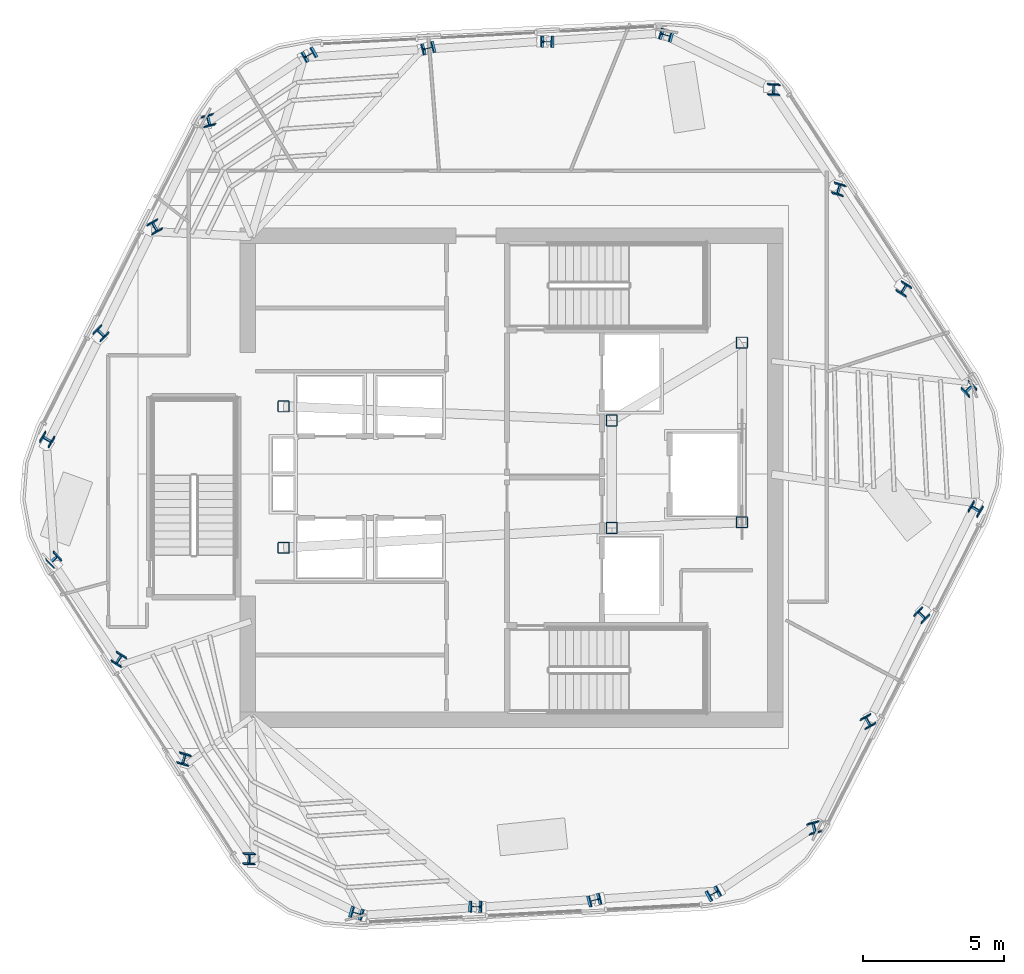
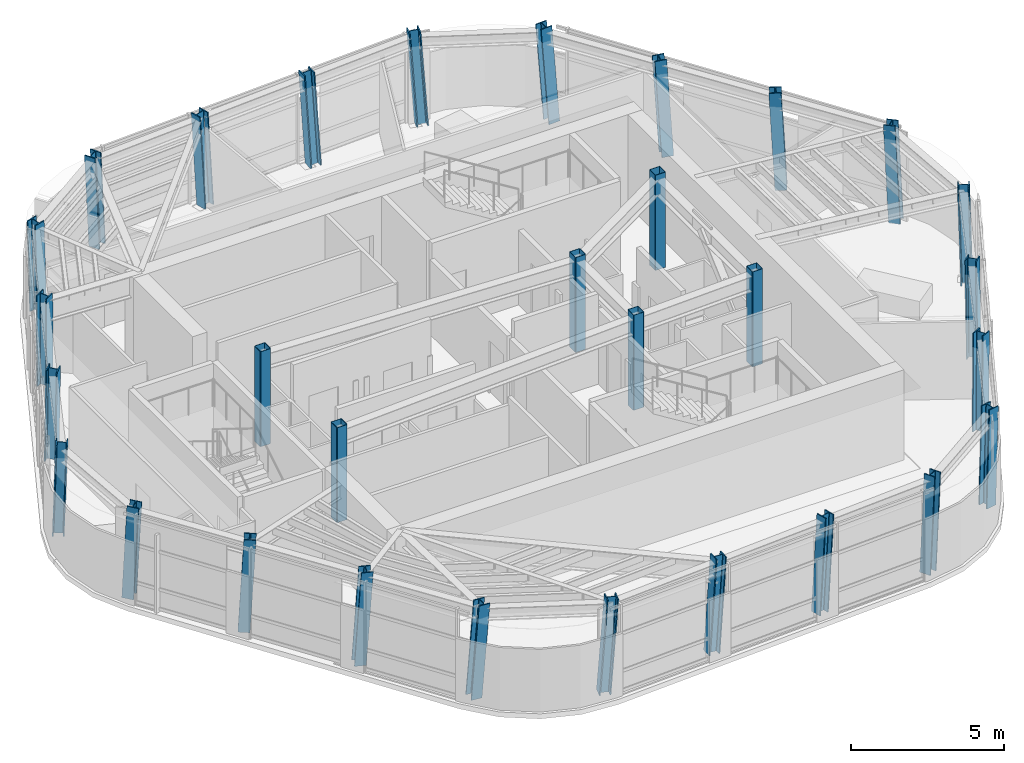
# One storey, part 1 of 13: 30 columns.
"""IFC4 building model written with IfcOpenShell, lengths in metres."""

from ifc_helpers import new_model, si_unit, direction, frame, origin, origin_2d, place, context, subcontext, project, spatial, hollow_rectangle, i_section, extrude, material, material_profile, profile_set, type_object, element, save


model = new_model("IFC4")

# Units and contexts
model_context = context("Model", 3, precision=1e-05, world=origin(), true_north=direction((0.0, 1.0)))
body_context = subcontext(model_context, "Body", "Model", "MODEL_VIEW")
ifc_project = project(units=[si_unit("LENGTHUNIT", "METRE"), si_unit("AREAUNIT", "SQUARE_METRE"), si_unit("VOLUMEUNIT", "CUBIC_METRE"), si_unit("PLANEANGLEUNIT", "RADIAN"), si_unit("MASSUNIT", "GRAM", prefix="KILO")], contexts=[model_context])

# Site, building, storey
site_placement = place(None, origin())
site = spatial("IfcSite", under=ifc_project, at=site_placement, CompositionType="ELEMENT")
building_placement = place(site_placement, origin())
building = spatial("IfcBuilding", under=site, at=building_placement, Name="Valkerne Bourse Tower", CompositionType="ELEMENT")
storey_placement = place(building_placement, frame((0.0, 0.0, 296.39990234375)))
storey = spatial("IfcBuildingStorey", under=building, at=storey_placement, Name="L75", CompositionType="ELEMENT", Elevation=296.39990234375)

# Columns
ifc_material_1 = material(Name="Steel ASTM A500 Grade C", Category="steel")
ifc_material_profile_1 = material_profile(ifc_material_1, hollow_rectangle(XDim=0.39990234375, YDim=0.39990234375, WallThickness=0.01611328125, OuterFilletRadius=0.031982421875, at=origin_2d()), Name="HSS400X400X16")
ifc_profile_set_1 = profile_set([ifc_material_profile_1], Name="Steel ASTM A500 Grade C")
column_type_1 = type_object("IfcColumnType", Name="COL-HSS400X400X16", PredefinedType="COLUMN", material=ifc_profile_set_1)
for number, where, z_axis, x_axis, name in (
    (1, (38.75, 24.39990234375, 0.005126953125), (0.0, 0.0, 1.0), (1.0, 0.0, 0.0), "L75 Core Frame Column CC-SW"),
    (2, (38.75, 29.39990234375, 0.005126953125), (0.0, 0.0, 1.0), (1.0, 0.0, 0.0), "L75 Core Frame Column CC-NW"),
    (3, (50.35009765625, 25.10009765625, 0.005126953125), (0.0, 0.0, 1.0), (1.0, 0.0, 0.0), "L75 Core Frame Column CC-CE1"),
    (4, (50.35009765625, 28.89990234375, 0.005126953125), (0.0, 0.0, 1.0), (1.0, 0.0, 0.0), "L75 Core Frame Column CC-CE2"),
    (5, (54.949951171875, 25.300048828125, 0.005126953125), (0.0, 0.0, 1.0), (1.0, 0.0, 0.0), "L75 Core Frame Column CC-SE"),
    (6, (54.949951171875, 31.64990234375, 0.005126953125), (0.0, 0.0, 1.0), (1.0, 0.0, 0.0), "L75 Core Frame Column CC-NE"),
):
    element("IfcColumn", number, at=place(storey_placement, frame(where, z_axis=z_axis, x_axis=x_axis)), inside=storey, type_object=column_type_1, Name=name, PredefinedType="COLUMN", context=body_context, shape_type="SweptSolid", body=[
        extrude(hollow_rectangle(XDim=0.39990234375, YDim=0.39990234375, WallThickness=0.01611328125, OuterFilletRadius=0.031982421875, at=origin_2d()), origin(), (0.0, 0.0, 1.0), 3.794921875),
    ])
ifc_material_2 = material(Name="Steel ASTM A913 Grade 65", Category="steel")
ifc_material_profile_2 = material_profile(ifc_material_2, i_section(OverallWidth=0.4013671875, OverallDepth=0.398681640625, WebThickness=0.02490234375, FlangeThickness=0.03955078125, FilletRadius=0.025390625, at=origin_2d()), Name="W14X211")
ifc_profile_set_2 = profile_set([ifc_material_profile_2], Name="Steel ASTM A913 Grade 65")
column_type_2 = type_object("IfcColumnType", Name="COL-W14X211", PredefinedType="COLUMN", material=ifc_profile_set_2)
column_1_placement = place(storey_placement, frame((52.31396484375, 42.508544921875, 0.010009765625), z_axis=(-0.064484148291, 0.022353645811, 0.997668336241), x_axis=(0.277749298104, 0.960646953462, -0.003571863205)))
element("IfcColumn", 7, at=column_1_placement, inside=storey, type_object=column_type_2, Name="L75 Helical Perimeter Tube Column F1-C1", PredefinedType="COLUMN", context=body_context, shape_type="SweptSolid", body=[
    extrude(i_section(OverallWidth=0.4013671875, OverallDepth=0.398681640625, WebThickness=0.02490234375, FlangeThickness=0.03955078125, FilletRadius=0.025390625, at=origin_2d()), origin(), (0.0, 0.0, 1.0), 3.789794921875),
])
for number, where, z_axis, x_axis, name in (
    (8, (48.107666015625, 42.2880859375, 0.010009765625), (-0.063408517801, 0.004961845397, 0.997975320316), (0.025835817584, 0.999660657599, -0.003328690265), "L75 Helical Perimeter Tube Column F1-C2"),
    (9, (43.9013671875, 42.067626953125, 0.010009765625), (-0.062377423475, -0.01250126049, 0.997974336106), (-0.247447995896, 0.968895455541, -0.003329498396), "L75 Helical Perimeter Tube Column F1-C3"),
):
    element("IfcColumn", number, at=place(storey_placement, frame(where, z_axis=z_axis, x_axis=x_axis)), inside=storey, type_object=column_type_2, Name=name, PredefinedType="COLUMN", context=body_context, shape_type="SweptSolid", body=[
        extrude(i_section(OverallWidth=0.4013671875, OverallDepth=0.398681640625, WebThickness=0.02490234375, FlangeThickness=0.03955078125, FilletRadius=0.025390625, at=origin_2d()), origin(), (0.0, 0.0, 1.0), 3.78857421875),
    ])
for number, where, z_axis, x_axis, name in (
    (10, (39.6953125, 41.847412109375, 0.010009765625), (-0.061327566448, -0.029955166385, 0.997668089898), (-0.485203355653, 0.874394043958, -0.003572051665), "L75 Helical Perimeter Tube Column F1-C4"),
    (11, (36.126220703125, 39.529541015625, 0.010009765625), (-0.051600262536, -0.044642923767, 0.997669495506), (-0.969291324791, -0.238281973406, -0.060794973767), "L75 Helical Perimeter Tube Column F2-C1"),
):
    element("IfcColumn", number, at=place(storey_placement, frame(where, z_axis=z_axis, x_axis=x_axis)), inside=storey, type_object=column_type_2, Name=name, PredefinedType="COLUMN", context=body_context, shape_type="SweptSolid", body=[
        extrude(i_section(OverallWidth=0.4013671875, OverallDepth=0.398681640625, WebThickness=0.02490234375, FlangeThickness=0.03955078125, FilletRadius=0.025390625, at=origin_2d()), origin(), (0.0, 0.0, 1.0), 3.789794921875),
    ])
for number, where, z_axis, x_axis, name in (
    (12, (34.2138671875, 35.776611328125, 0.010009765625), (-0.035957286039, -0.052453818701, 0.997975786522), (-0.877220250664, -0.476732491492, -0.056663598369), "L75 Helical Perimeter Tube Column F2-C2"),
    (13, (32.3017578125, 32.023681640625, 0.010009765625), (-0.02036290239, -0.060250992831, 0.997975535807), (-0.714793354164, -0.697036082414, -0.056667103827), "L75 Helical Perimeter Tube Column F2-C3"),
):
    element("IfcColumn", number, at=place(storey_placement, frame(where, z_axis=z_axis, x_axis=x_axis)), inside=storey, type_object=column_type_2, Name=name, PredefinedType="COLUMN", context=body_context, shape_type="SweptSolid", body=[
        extrude(i_section(OverallWidth=0.4013671875, OverallDepth=0.398681640625, WebThickness=0.02490234375, FlangeThickness=0.03955078125, FilletRadius=0.025390625, at=origin_2d()), origin(), (0.0, 0.0, 1.0), 3.78857421875),
    ])
for number, where, z_axis, x_axis, name in (
    (14, (30.389404296875, 28.270751953125, 0.010009765625), (-0.004702638546, -0.068091629354, 0.997667988462), (-0.514158180933, -0.855536643786, -0.060814604487), "L75 Helical Perimeter Tube Column F2-C4"),
    (15, (30.6123046875, 24.02099609375, 0.010009765625), (0.012819558143, -0.066996685774, 0.997670839017), (0.692183971338, -0.719450241147, -0.057207519926), "L75 Helical Perimeter Tube Column F3-C1"),
):
    element("IfcColumn", number, at=place(storey_placement, frame(where, z_axis=z_axis, x_axis=x_axis)), inside=storey, type_object=column_type_2, Name=name, PredefinedType="COLUMN", context=body_context, shape_type="SweptSolid", body=[
        extrude(i_section(OverallWidth=0.4013671875, OverallDepth=0.398681640625, WebThickness=0.02490234375, FlangeThickness=0.03955078125, FilletRadius=0.025390625, at=origin_2d()), origin(), (0.0, 0.0, 1.0), 3.789794921875),
    ])
for number, where, z_axis, x_axis, name in (
    (16, (32.90625, 20.48828125, 0.010009765625), (0.02745128327, -0.05735127256, 0.997976582181), (0.852619715967, -0.519803889654, -0.053324818286), "L75 Helical Perimeter Tube Column F3-C2"),
    (17, (35.2001953125, 16.955810546875, 0.010009765625), (0.042078912537, -0.047749577627, 0.997972616336), (0.961981323117, -0.267848520862, -0.05337699735), "L75 Helical Perimeter Tube Column F3-C3"),
):
    element("IfcColumn", number, at=place(storey_placement, frame(where, z_axis=z_axis, x_axis=x_axis)), inside=storey, type_object=column_type_2, Name=name, PredefinedType="COLUMN", context=body_context, shape_type="SweptSolid", body=[
        extrude(i_section(OverallWidth=0.4013671875, OverallDepth=0.398681640625, WebThickness=0.02490234375, FlangeThickness=0.03955078125, FilletRadius=0.025390625, at=origin_2d()), origin(), (0.0, 0.0, 1.0), 3.78857421875),
    ])
for number, where, z_axis, x_axis, name in (
    (18, (37.494384765625, 13.42333984375, 0.010009765625), (0.056560785153, -0.038072236931, 0.997672983676), (0.998244906423, -0.015408322836, -0.057181206601), "L75 Helical Perimeter Tube Column F3-C4"),
    (19, (41.2861328125, 11.491455078125, 0.010009765625), (0.064484148291, -0.022353645811, 0.997668336241), (0.277749298104, 0.960646953462, 0.003571863205), "L75 Helical Perimeter Tube Column F4-C1"),
):
    element("IfcColumn", number, at=place(storey_placement, frame(where, z_axis=z_axis, x_axis=x_axis)), inside=storey, type_object=column_type_2, Name=name, PredefinedType="COLUMN", context=body_context, shape_type="SweptSolid", body=[
        extrude(i_section(OverallWidth=0.4013671875, OverallDepth=0.398681640625, WebThickness=0.02490234375, FlangeThickness=0.03955078125, FilletRadius=0.025390625, at=origin_2d()), origin(), (0.0, 0.0, 1.0), 3.789794921875),
    ])
for number, where, z_axis, x_axis, name in (
    (20, (45.4921875, 11.7119140625, 0.010009765625), (0.06347269787, -0.004961825113, 0.997971240526), (0.025757096496, 0.999662677855, 0.003332038881), "L75 Helical Perimeter Tube Column F4-C2"),
    (21, (49.698486328125, 11.932373046875, 0.010009765625), (0.062377423475, 0.01250126049, 0.997974336106), (-0.247447995896, 0.968895455541, 0.003329498396), "L75 Helical Perimeter Tube Column F4-C3"),
):
    element("IfcColumn", number, at=place(storey_placement, frame(where, z_axis=z_axis, x_axis=x_axis)), inside=storey, type_object=column_type_2, Name=name, PredefinedType="COLUMN", context=body_context, shape_type="SweptSolid", body=[
        extrude(i_section(OverallWidth=0.4013671875, OverallDepth=0.398681640625, WebThickness=0.02490234375, FlangeThickness=0.03955078125, FilletRadius=0.025390625, at=origin_2d()), origin(), (0.0, 0.0, 1.0), 3.78857421875),
    ])
for number, where, z_axis, x_axis, name in (
    (22, (53.90478515625, 12.152587890625, 0.010009765625), (0.061327566448, 0.029955166385, 0.997668089898), (-0.485203355653, 0.874394043958, 0.003572051665), "L75 Helical Perimeter Tube Column F4-C4"),
    (23, (57.473876953125, 14.470458984375, 0.010009765625), (0.051600262536, 0.044642923767, 0.997669495506), (-0.969291324791, -0.238281973406, 0.060794973767), "L75 Helical Perimeter Tube Column F5-C1"),
):
    element("IfcColumn", number, at=place(storey_placement, frame(where, z_axis=z_axis, x_axis=x_axis)), inside=storey, type_object=column_type_2, Name=name, PredefinedType="COLUMN", context=body_context, shape_type="SweptSolid", body=[
        extrude(i_section(OverallWidth=0.4013671875, OverallDepth=0.398681640625, WebThickness=0.02490234375, FlangeThickness=0.03955078125, FilletRadius=0.025390625, at=origin_2d()), origin(), (0.0, 0.0, 1.0), 3.789794921875),
    ])
for number, where, z_axis, x_axis, name in (
    (24, (59.385986328125, 18.223388671875, 0.010009765625), (0.03602164208, 0.052453697054, 0.997973472076), (-0.877616984473, -0.475997896826, 0.056695950303), "L75 Helical Perimeter Tube Column F5-C2"),
    (25, (61.29833984375, 21.976318359375, 0.010009765625), (0.02036290239, 0.060250992831, 0.997975535807), (-0.714793354164, -0.697036082414, 0.056667103827), "L75 Helical Perimeter Tube Column F5-C3"),
):
    element("IfcColumn", number, at=place(storey_placement, frame(where, z_axis=z_axis, x_axis=x_axis)), inside=storey, type_object=column_type_2, Name=name, PredefinedType="COLUMN", context=body_context, shape_type="SweptSolid", body=[
        extrude(i_section(OverallWidth=0.4013671875, OverallDepth=0.398681640625, WebThickness=0.02490234375, FlangeThickness=0.03955078125, FilletRadius=0.025390625, at=origin_2d()), origin(), (0.0, 0.0, 1.0), 3.78857421875),
    ])
for number, where, z_axis, x_axis, name in (
    (26, (63.21044921875, 25.729248046875, 0.010009765625), (0.004767056798, 0.068091608585, 0.997667684156), (-0.514963439853, -0.855051903366, 0.060818567599), "L75 Helical Perimeter Tube Column F5-C4"),
    (27, (62.98779296875, 29.97900390625, 0.010009765625), (-0.012883967367, 0.066996630307, 0.997670013037), (0.692850769465, -0.718807311932, 0.057217650823), "L75 Helical Perimeter Tube Column F6-C1"),
):
    element("IfcColumn", number, at=place(storey_placement, frame(where, z_axis=z_axis, x_axis=x_axis)), inside=storey, type_object=column_type_2, Name=name, PredefinedType="COLUMN", context=body_context, shape_type="SweptSolid", body=[
        extrude(i_section(OverallWidth=0.4013671875, OverallDepth=0.398681640625, WebThickness=0.02490234375, FlangeThickness=0.03955078125, FilletRadius=0.025390625, at=origin_2d()), origin(), (0.0, 0.0, 1.0), 3.789794921875),
    ])
for number, where, z_axis, x_axis, name in (
    (28, (60.69384765625, 33.51171875, 0.010009765625), (-0.02745128327, 0.05735127256, 0.997976582181), (0.852619715967, -0.519803889654, 0.053324818286), "L75 Helical Perimeter Tube Column F6-C2"),
    (29, (58.399658203125, 37.044189453125, 0.010009765625), (-0.042014586999, 0.047749707003, 0.997975320316), (0.961778944384, -0.268581373843, 0.053341426342), "L75 Helical Perimeter Tube Column F6-C3"),
):
    element("IfcColumn", number, at=place(storey_placement, frame(where, z_axis=z_axis, x_axis=x_axis)), inside=storey, type_object=column_type_2, Name=name, PredefinedType="COLUMN", context=body_context, shape_type="SweptSolid", body=[
        extrude(i_section(OverallWidth=0.4013671875, OverallDepth=0.398681640625, WebThickness=0.02490234375, FlangeThickness=0.03955078125, FilletRadius=0.025390625, at=origin_2d()), origin(), (0.0, 0.0, 1.0), 3.78857421875),
    ])
column_2_placement = place(storey_placement, frame((56.105712890625, 40.57666015625, 0.010009765625), z_axis=(-0.056560785153, 0.038072236931, 0.997672983676), x_axis=(0.998244906423, -0.015408322836, 0.057181206601)))
element("IfcColumn", 30, at=column_2_placement, inside=storey, type_object=column_type_2, Name="L75 Helical Perimeter Tube Column F6-C4", PredefinedType="COLUMN", context=body_context, shape_type="SweptSolid", body=[
    extrude(i_section(OverallWidth=0.4013671875, OverallDepth=0.398681640625, WebThickness=0.02490234375, FlangeThickness=0.03955078125, FilletRadius=0.025390625, at=origin_2d()), origin(), (0.0, 0.0, 1.0), 3.789794921875),
])

save(model, "model.ifc")
